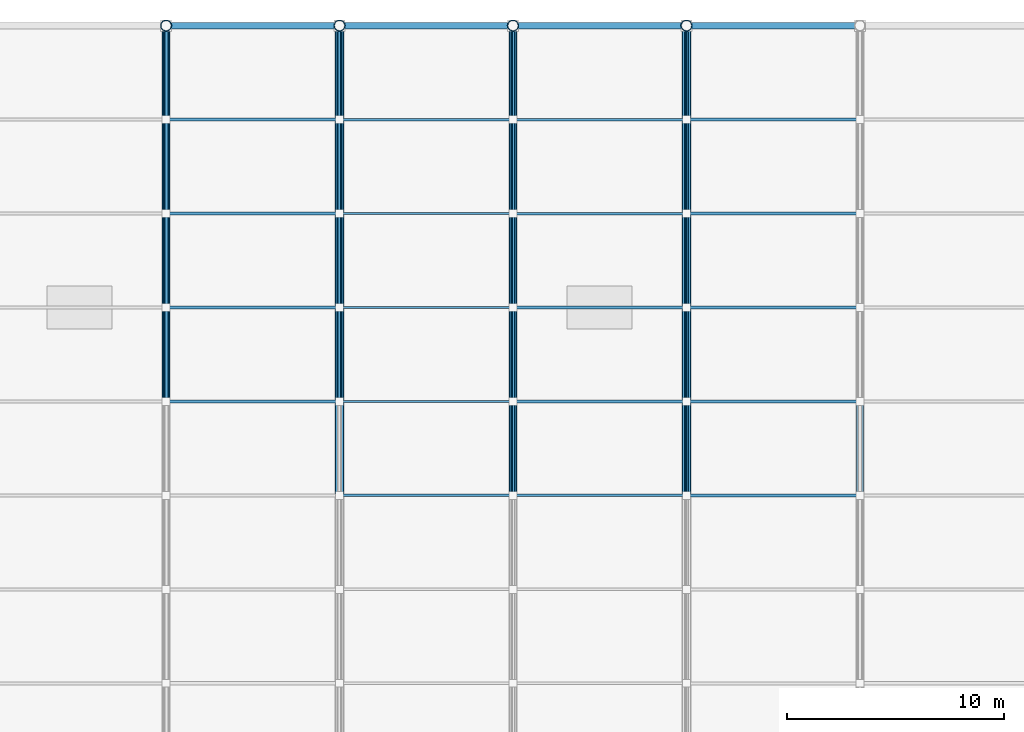
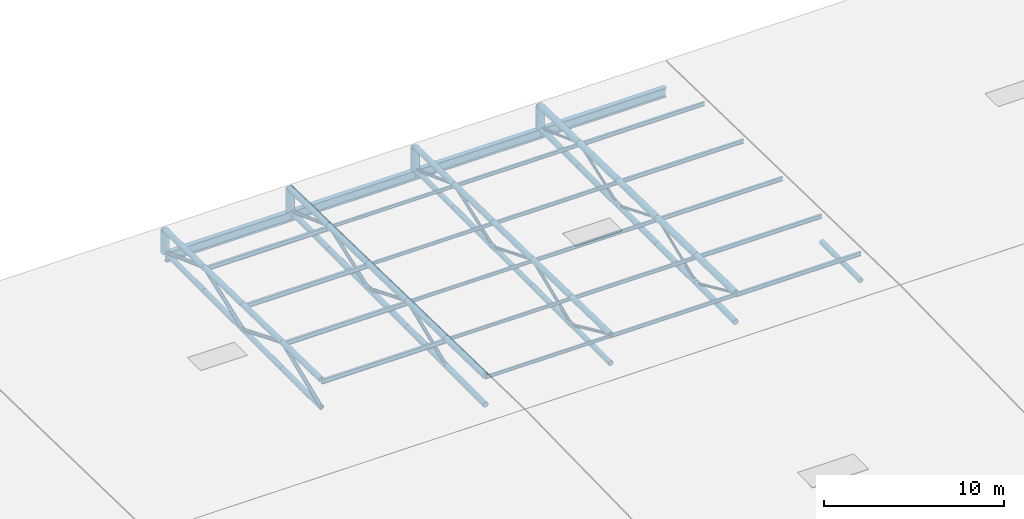
# One storey, part 53 of 75: 80 members, 4 beams.
"""IFC4 building model written with IfcOpenShell, lengths in metres."""

from ifc_helpers import new_model, si_unit, direction, frame, origin, origin_2d, place, context, subcontext, project, spatial, hollow_circle, i_section, extrude, material, material_profile, profile_set, type_object, element, save


model = new_model("IFC4")

# Units and contexts
model_context = context("Model", 3, precision=1e-05, world=origin(), true_north=direction((0.0, 1.0)))
body_context = subcontext(model_context, "Body", "Model", "MODEL_VIEW")
ifc_project = project(units=[si_unit("LENGTHUNIT", "METRE"), si_unit("AREAUNIT", "SQUARE_METRE"), si_unit("VOLUMEUNIT", "CUBIC_METRE"), si_unit("PLANEANGLEUNIT", "RADIAN"), si_unit("MASSUNIT", "GRAM", prefix="KILO")], contexts=[model_context])

# Site, building, storey
site_placement = place(None, origin())
site = spatial("IfcSite", under=ifc_project, at=site_placement, CompositionType="ELEMENT")
building_placement = place(site_placement, origin())
building = spatial("IfcBuilding", under=site, at=building_placement, Name="Khorjan Park Terminus", CompositionType="ELEMENT")
storey_placement = place(building_placement, frame((0.0, 0.0, 16.2)))
storey = spatial("IfcBuildingStorey", under=building, at=storey_placement, Name="L03", CompositionType="ELEMENT", Elevation=16.2)

# Members
ifc_material = material(Name="Steel S355", Category="steel")
ifc_material_profile_1 = material_profile(ifc_material, hollow_circle(Radius=0.0842, WallThickness=0.008, at=origin_2d()), Name="CHS 168.3x8")
ifc_profile_set_1 = profile_set([ifc_material_profile_1], Name="Steel S355")
member_type_1 = type_object("IfcMemberType", Name="MB-BR-168", PredefinedType="BRACE", material=ifc_profile_set_1)
member_1_placement = place(storey_placement, frame((120.0, 132.3333, -0.6417), z_axis=(0.0, 0.911269553162, -0.411810395061), x_axis=(-1.0, 0.0, 0.0)))
element("IfcMember", 1, at=member_1_placement, inside=storey, type_object=member_type_1, Name="Train shed flat truss web diagonal TB-17 (T15)", PredefinedType="BRACE", context=body_context, shape_type="SweptSolid", body=[
    extrude(hollow_circle(Radius=0.0842, WallThickness=0.008, at=origin_2d()), origin(), (0.0, 0.0, 1.0), 4.7553),
])
for number, where, z_axis, x_axis, name in (
    (2, (120.0, 136.6667, -2.6), (0.0, 0.92537575721, 0.379051062481), (-1.0, 0.0, 0.0), "Train shed flat truss web diagonal TB-17 (T15)"),
    (3, (120.0, 141.0, -0.825), (0.0, 0.92537575721, -0.379051062481), (-1.0, 0.0, 0.0), "Train shed flat truss web diagonal TB-17 (T15)"),
):
    element("IfcMember", number, at=place(storey_placement, frame(where, z_axis=z_axis, x_axis=x_axis)), inside=storey, type_object=member_type_1, Name=name, PredefinedType="BRACE", context=body_context, shape_type="SweptSolid", body=[
        extrude(hollow_circle(Radius=0.0842, WallThickness=0.008, at=origin_2d()), origin(), (0.0, 0.0, 1.0), 4.6827),
    ])
member_2_placement = place(storey_placement, frame((120.0, 145.3333, -2.6), z_axis=(0.0, 0.938681062758, 0.344786691187), x_axis=(-1.0, 0.0, 0.0)))
element("IfcMember", 4, at=member_2_placement, inside=storey, type_object=member_type_1, Name="Train shed flat truss web diagonal TB-17 (T15)", PredefinedType="BRACE", context=body_context, shape_type="SweptSolid", body=[
    extrude(hollow_circle(Radius=0.0842, WallThickness=0.008, at=origin_2d()), origin(), (0.0, 0.0, 1.0), 4.6165),
])
member_3_placement = place(storey_placement, frame((120.0, 149.6667, -1.0083), z_axis=(0.0, 0.938678487602, -0.344793701963), x_axis=(-1.0, 0.0, 0.0)))
element("IfcMember", 5, at=member_3_placement, inside=storey, type_object=member_type_1, Name="Train shed flat truss web diagonal TB-17 (T15)", PredefinedType="BRACE", context=body_context, shape_type="SweptSolid", body=[
    extrude(hollow_circle(Radius=0.0842, WallThickness=0.008, at=origin_2d()), origin(), (0.0, 0.0, 1.0), 4.6164),
])
ifc_material_profile_2 = material_profile(ifc_material, hollow_circle(Radius=0.0969, WallThickness=0.01, at=origin_2d()), Name="CHS 193.7x10")
ifc_profile_set_2 = profile_set([ifc_material_profile_2], Name="Steel S355")
member_type_2 = type_object("IfcMemberType", Name="MB-BR-194", PredefinedType="BRACE", material=ifc_profile_set_2)
member_4_placement = place(storey_placement, frame((112.0, 132.3333, -0.6417), z_axis=(0.0, 0.911269553162, -0.411810395061), x_axis=(-1.0, 0.0, 0.0)))
element("IfcMember", 6, at=member_4_placement, inside=storey, type_object=member_type_2, Name="Train shed flat truss web diagonal TB-19 (T14)", PredefinedType="BRACE", context=body_context, shape_type="SweptSolid", body=[
    extrude(hollow_circle(Radius=0.0969, WallThickness=0.01, at=origin_2d()), origin(), (0.0, 0.0, 1.0), 4.7553),
])
for number, where, z_axis, x_axis, name in (
    (7, (112.0, 136.6667, -2.6), (0.0, 0.92537575721, 0.379051062481), (-1.0, 0.0, 0.0), "Train shed flat truss web diagonal TB-19 (T14)"),
    (8, (112.0, 141.0, -0.825), (0.0, 0.92537575721, -0.379051062481), (-1.0, 0.0, 0.0), "Train shed flat truss web diagonal TB-19 (T14)"),
):
    element("IfcMember", number, at=place(storey_placement, frame(where, z_axis=z_axis, x_axis=x_axis)), inside=storey, type_object=member_type_2, Name=name, PredefinedType="BRACE", context=body_context, shape_type="SweptSolid", body=[
        extrude(hollow_circle(Radius=0.0969, WallThickness=0.01, at=origin_2d()), origin(), (0.0, 0.0, 1.0), 4.6827),
    ])
member_5_placement = place(storey_placement, frame((112.0, 145.3333, -2.6), z_axis=(0.0, 0.938681062758, 0.344786691187), x_axis=(-1.0, 0.0, 0.0)))
element("IfcMember", 9, at=member_5_placement, inside=storey, type_object=member_type_2, Name="Train shed flat truss web diagonal TB-19 (T14)", PredefinedType="BRACE", context=body_context, shape_type="SweptSolid", body=[
    extrude(hollow_circle(Radius=0.0969, WallThickness=0.01, at=origin_2d()), origin(), (0.0, 0.0, 1.0), 4.6165),
])
member_6_placement = place(storey_placement, frame((112.0, 149.6667, -1.0083), z_axis=(0.0, 0.938678487602, -0.344793701963), x_axis=(-1.0, 0.0, 0.0)))
element("IfcMember", 10, at=member_6_placement, inside=storey, type_object=member_type_2, Name="Train shed flat truss web diagonal TB-19 (T14)", PredefinedType="BRACE", context=body_context, shape_type="SweptSolid", body=[
    extrude(hollow_circle(Radius=0.0969, WallThickness=0.01, at=origin_2d()), origin(), (0.0, 0.0, 1.0), 4.6164),
])
ifc_material_profile_3 = material_profile(ifc_material, hollow_circle(Radius=0.1095, WallThickness=0.01, at=origin_2d()), Name="CHS 219.1x10")
ifc_profile_set_3 = profile_set([ifc_material_profile_3], Name="Steel S355")
member_type_3 = type_object("IfcMemberType", Name="MB-BR-219", PredefinedType="BRACE", material=ifc_profile_set_3)
for number, where, z_axis, x_axis, name in (
    (11, (104.0, 136.6667, -2.6), (0.0, 0.92537575721, 0.379051062481), (-1.0, 0.0, 0.0), "Train shed flat truss web diagonal TB-22 (T13)"),
    (12, (104.0, 141.0, -0.825), (0.0, 0.92537575721, -0.379051062481), (-1.0, 0.0, 0.0), "Train shed flat truss web diagonal TB-22 (T13)"),
):
    element("IfcMember", number, at=place(storey_placement, frame(where, z_axis=z_axis, x_axis=x_axis)), inside=storey, type_object=member_type_3, Name=name, PredefinedType="BRACE", context=body_context, shape_type="SweptSolid", body=[
        extrude(hollow_circle(Radius=0.1095, WallThickness=0.01, at=origin_2d()), origin(), (0.0, 0.0, 1.0), 4.6827),
    ])
member_7_placement = place(storey_placement, frame((104.0, 145.3333, -2.6), z_axis=(0.0, 0.938681062758, 0.344786691187), x_axis=(-1.0, 0.0, 0.0)))
element("IfcMember", 13, at=member_7_placement, inside=storey, type_object=member_type_3, Name="Train shed flat truss web diagonal TB-22 (T13)", PredefinedType="BRACE", context=body_context, shape_type="SweptSolid", body=[
    extrude(hollow_circle(Radius=0.1095, WallThickness=0.01, at=origin_2d()), origin(), (0.0, 0.0, 1.0), 4.6165),
])
member_8_placement = place(storey_placement, frame((104.0, 149.6667, -1.0083), z_axis=(0.0, 0.938678487602, -0.344793701963), x_axis=(-1.0, 0.0, 0.0)))
element("IfcMember", 14, at=member_8_placement, inside=storey, type_object=member_type_3, Name="Train shed flat truss web diagonal TB-22 (T13)", PredefinedType="BRACE", context=body_context, shape_type="SweptSolid", body=[
    extrude(hollow_circle(Radius=0.1095, WallThickness=0.01, at=origin_2d()), origin(), (0.0, 0.0, 1.0), 4.6164),
])
ifc_material_profile_4 = material_profile(ifc_material, hollow_circle(Radius=0.1222, WallThickness=0.0125, at=origin_2d()), Name="CHS 244.5x12.5")
ifc_profile_set_4 = profile_set([ifc_material_profile_4], Name="Steel S355")
member_type_4 = type_object("IfcMemberType", Name="MB-BR-245", PredefinedType="BRACE", material=ifc_profile_set_4)
for number, where, z_axis, x_axis, name in (
    (15, (96.0, 136.6667, -2.6), (0.0, 0.92537575721, 0.379051062481), (-1.0, 0.0, 0.0), "Train shed flat truss web diagonal TB-24 (T12)"),
    (16, (96.0, 141.0, -0.825), (0.0, 0.92537575721, -0.379051062481), (-1.0, 0.0, 0.0), "Train shed flat truss web diagonal TB-24 (T12)"),
):
    element("IfcMember", number, at=place(storey_placement, frame(where, z_axis=z_axis, x_axis=x_axis)), inside=storey, type_object=member_type_4, Name=name, PredefinedType="BRACE", context=body_context, shape_type="SweptSolid", body=[
        extrude(hollow_circle(Radius=0.1222, WallThickness=0.0125, at=origin_2d()), origin(), (0.0, 0.0, 1.0), 4.6827),
    ])
member_9_placement = place(storey_placement, frame((96.0, 145.3333, -2.6), z_axis=(0.0, 0.938681062758, 0.344786691187), x_axis=(-1.0, 0.0, 0.0)))
element("IfcMember", 17, at=member_9_placement, inside=storey, type_object=member_type_4, Name="Train shed flat truss web diagonal TB-24 (T12)", PredefinedType="BRACE", context=body_context, shape_type="SweptSolid", body=[
    extrude(hollow_circle(Radius=0.1222, WallThickness=0.0125, at=origin_2d()), origin(), (0.0, 0.0, 1.0), 4.6165),
])
member_10_placement = place(storey_placement, frame((96.0, 149.6667, -1.0083), z_axis=(0.0, 0.938678487602, -0.344793701963), x_axis=(-1.0, 0.0, 0.0)))
element("IfcMember", 18, at=member_10_placement, inside=storey, type_object=member_type_4, Name="Train shed flat truss web diagonal TB-24 (T12)", PredefinedType="BRACE", context=body_context, shape_type="SweptSolid", body=[
    extrude(hollow_circle(Radius=0.1222, WallThickness=0.0125, at=origin_2d()), origin(), (0.0, 0.0, 1.0), 4.6164),
])
ifc_material_profile_5 = material_profile(ifc_material, hollow_circle(Radius=0.162, WallThickness=0.0125, at=origin_2d()), Name="CHS 323.9x12.5")
ifc_profile_set_5 = profile_set([ifc_material_profile_5], Name="Steel S355")
member_type_5 = type_object("IfcMemberType", Name="MB-CH-324", PredefinedType="CHORD", material=ifc_profile_set_5)
for number, where, z_axis, x_axis, name in (
    (19, (96.0, 136.6667, -2.6), (0.0, 1.0, 0.0), (-1.0, 0.0, 0.0), "Train shed flat truss bottom chord TC-32 (T12)"),
    (20, (96.0, 141.0, -2.6), (0.0, 1.0, 0.0), (-1.0, 0.0, 0.0), "Train shed flat truss bottom chord TC-32 (T12)"),
):
    element("IfcMember", number, at=place(storey_placement, frame(where, z_axis=z_axis, x_axis=x_axis)), inside=storey, type_object=member_type_5, Name=name, PredefinedType="CHORD", context=body_context, shape_type="SweptSolid", body=[
        extrude(hollow_circle(Radius=0.162, WallThickness=0.0125, at=origin_2d()), origin(), (0.0, 0.0, 1.0), 4.3333),
    ])
member_11_placement = place(storey_placement, frame((96.0, 145.3333, -2.6), z_axis=(0.0, 1.0, 0.0), x_axis=(-1.0, 0.0, 0.0)))
element("IfcMember", 21, at=member_11_placement, inside=storey, type_object=member_type_5, Name="Train shed flat truss bottom chord TC-32 (T12)", PredefinedType="CHORD", context=body_context, shape_type="SweptSolid", body=[
    extrude(hollow_circle(Radius=0.162, WallThickness=0.0125, at=origin_2d()), origin(), (0.0, 0.0, 1.0), 4.3334),
])
member_12_placement = place(storey_placement, frame((96.0, 149.6667, -2.6), z_axis=(0.0, 1.0, 0.0), x_axis=(-1.0, 0.0, 0.0)))
element("IfcMember", 22, at=member_12_placement, inside=storey, type_object=member_type_5, Name="Train shed flat truss bottom chord TC-32 (T12)", PredefinedType="CHORD", context=body_context, shape_type="SweptSolid", body=[
    extrude(hollow_circle(Radius=0.162, WallThickness=0.0125, at=origin_2d()), origin(), (0.0, 0.0, 1.0), 4.3333),
])
member_13_placement = place(storey_placement, frame((112.0, 132.3333, -2.6), z_axis=(0.0, 1.0, 0.0), x_axis=(-1.0, 0.0, 0.0)))
element("IfcMember", 23, at=member_13_placement, inside=storey, type_object=member_type_5, Name="Train shed flat truss bottom chord TC-32 (T14)", PredefinedType="CHORD", context=body_context, shape_type="SweptSolid", body=[
    extrude(hollow_circle(Radius=0.162, WallThickness=0.0125, at=origin_2d()), origin(), (0.0, 0.0, 1.0), 4.3334),
])
for number, where, z_axis, x_axis, name in (
    (24, (112.0, 136.6667, -2.6), (0.0, 1.0, 0.0), (-1.0, 0.0, 0.0), "Train shed flat truss bottom chord TC-32 (T14)"),
    (25, (112.0, 141.0, -2.6), (0.0, 1.0, 0.0), (-1.0, 0.0, 0.0), "Train shed flat truss bottom chord TC-32 (T14)"),
):
    element("IfcMember", number, at=place(storey_placement, frame(where, z_axis=z_axis, x_axis=x_axis)), inside=storey, type_object=member_type_5, Name=name, PredefinedType="CHORD", context=body_context, shape_type="SweptSolid", body=[
        extrude(hollow_circle(Radius=0.162, WallThickness=0.0125, at=origin_2d()), origin(), (0.0, 0.0, 1.0), 4.3333),
    ])
member_14_placement = place(storey_placement, frame((112.0, 145.3333, -2.6), z_axis=(0.0, 1.0, 0.0), x_axis=(-1.0, 0.0, 0.0)))
element("IfcMember", 26, at=member_14_placement, inside=storey, type_object=member_type_5, Name="Train shed flat truss bottom chord TC-32 (T14)", PredefinedType="CHORD", context=body_context, shape_type="SweptSolid", body=[
    extrude(hollow_circle(Radius=0.162, WallThickness=0.0125, at=origin_2d()), origin(), (0.0, 0.0, 1.0), 4.3334),
])
member_15_placement = place(storey_placement, frame((112.0, 149.6667, -2.6), z_axis=(0.0, 1.0, 0.0), x_axis=(-1.0, 0.0, 0.0)))
element("IfcMember", 27, at=member_15_placement, inside=storey, type_object=member_type_5, Name="Train shed flat truss bottom chord TC-32 (T14)", PredefinedType="CHORD", context=body_context, shape_type="SweptSolid", body=[
    extrude(hollow_circle(Radius=0.162, WallThickness=0.0125, at=origin_2d()), origin(), (0.0, 0.0, 1.0), 4.3333),
])
member_16_placement = place(storey_placement, frame((128.0, 132.3333, -2.6), z_axis=(0.0, 1.0, 0.0), x_axis=(-1.0, 0.0, 0.0)))
element("IfcMember", 28, at=member_16_placement, inside=storey, type_object=member_type_5, Name="Train shed flat truss bottom chord TC-32 (T16)", PredefinedType="CHORD", context=body_context, shape_type="SweptSolid", body=[
    extrude(hollow_circle(Radius=0.162, WallThickness=0.0125, at=origin_2d()), origin(), (0.0, 0.0, 1.0), 4.3334),
])
ifc_material_profile_6 = material_profile(ifc_material, hollow_circle(Radius=0.1778, WallThickness=0.016, at=origin_2d()), Name="CHS 355.6x16")
ifc_profile_set_6 = profile_set([ifc_material_profile_6], Name="Steel S355")
member_type_6 = type_object("IfcMemberType", Name="MB-CH-356", PredefinedType="CHORD", material=ifc_profile_set_6)
for number, where, z_axis, x_axis, name in (
    (29, (96.0, 136.6667, -0.7333), (0.0, 0.999776166375, -0.021156964544), (-1.0, 0.0, 0.0), "Train shed flat truss top chord TC-36 (T12)"),
    (30, (96.0, 141.0, -0.825), (0.0, 0.999776166375, -0.021156964544), (-1.0, 0.0, 0.0), "Train shed flat truss top chord TC-36 (T12)"),
):
    element("IfcMember", number, at=place(storey_placement, frame(where, z_axis=z_axis, x_axis=x_axis)), inside=storey, type_object=member_type_6, Name=name, PredefinedType="CHORD", context=body_context, shape_type="SweptSolid", body=[
        extrude(hollow_circle(Radius=0.1778, WallThickness=0.016, at=origin_2d()), origin(), (0.0, 0.0, 1.0), 4.3343),
    ])
member_17_placement = place(storey_placement, frame((96.0, 145.3333, -0.9167), z_axis=(0.0, 0.999776664437, -0.021133415439), x_axis=(-1.0, 0.0, 0.0)))
element("IfcMember", 31, at=member_17_placement, inside=storey, type_object=member_type_6, Name="Train shed flat truss top chord TC-36 (T12)", PredefinedType="CHORD", context=body_context, shape_type="SweptSolid", body=[
    extrude(hollow_circle(Radius=0.1778, WallThickness=0.016, at=origin_2d()), origin(), (0.0, 0.0, 1.0), 4.3344),
])
member_18_placement = place(storey_placement, frame((96.0, 149.6667, -1.0083), z_axis=(0.0, 0.999776166375, -0.021156964544), x_axis=(-1.0, 0.0, 0.0)))
element("IfcMember", 32, at=member_18_placement, inside=storey, type_object=member_type_6, Name="Train shed flat truss top chord TC-36 (T12)", PredefinedType="CHORD", context=body_context, shape_type="SweptSolid", body=[
    extrude(hollow_circle(Radius=0.1778, WallThickness=0.016, at=origin_2d()), origin(), (0.0, 0.0, 1.0), 4.3343),
])
member_19_placement = place(storey_placement, frame((104.0, 132.3333, -2.6), z_axis=(0.0, 1.0, 0.0), x_axis=(-1.0, 0.0, 0.0)))
element("IfcMember", 33, at=member_19_placement, inside=storey, type_object=member_type_6, Name="Train shed flat truss bottom chord TC-36 (T13)", PredefinedType="CHORD", context=body_context, shape_type="SweptSolid", body=[
    extrude(hollow_circle(Radius=0.1778, WallThickness=0.016, at=origin_2d()), origin(), (0.0, 0.0, 1.0), 4.3334),
])
for number, where, z_axis, x_axis, name in (
    (34, (104.0, 136.6667, -2.6), (0.0, 1.0, 0.0), (-1.0, 0.0, 0.0), "Train shed flat truss bottom chord TC-36 (T13)"),
    (35, (104.0, 141.0, -2.6), (0.0, 1.0, 0.0), (-1.0, 0.0, 0.0), "Train shed flat truss bottom chord TC-36 (T13)"),
):
    element("IfcMember", number, at=place(storey_placement, frame(where, z_axis=z_axis, x_axis=x_axis)), inside=storey, type_object=member_type_6, Name=name, PredefinedType="CHORD", context=body_context, shape_type="SweptSolid", body=[
        extrude(hollow_circle(Radius=0.1778, WallThickness=0.016, at=origin_2d()), origin(), (0.0, 0.0, 1.0), 4.3333),
    ])
member_20_placement = place(storey_placement, frame((104.0, 145.3333, -2.6), z_axis=(0.0, 1.0, 0.0), x_axis=(-1.0, 0.0, 0.0)))
element("IfcMember", 36, at=member_20_placement, inside=storey, type_object=member_type_6, Name="Train shed flat truss bottom chord TC-36 (T13)", PredefinedType="CHORD", context=body_context, shape_type="SweptSolid", body=[
    extrude(hollow_circle(Radius=0.1778, WallThickness=0.016, at=origin_2d()), origin(), (0.0, 0.0, 1.0), 4.3334),
])
member_21_placement = place(storey_placement, frame((104.0, 149.6667, -2.6), z_axis=(0.0, 1.0, 0.0), x_axis=(-1.0, 0.0, 0.0)))
element("IfcMember", 37, at=member_21_placement, inside=storey, type_object=member_type_6, Name="Train shed flat truss bottom chord TC-36 (T13)", PredefinedType="CHORD", context=body_context, shape_type="SweptSolid", body=[
    extrude(hollow_circle(Radius=0.1778, WallThickness=0.016, at=origin_2d()), origin(), (0.0, 0.0, 1.0), 4.3333),
])
member_22_placement = place(storey_placement, frame((112.0, 132.3333, -0.6417), z_axis=(0.0, 0.999776664437, -0.021133415439), x_axis=(-1.0, 0.0, 0.0)))
element("IfcMember", 38, at=member_22_placement, inside=storey, type_object=member_type_6, Name="Train shed flat truss top chord TC-36 (T14)", PredefinedType="CHORD", context=body_context, shape_type="SweptSolid", body=[
    extrude(hollow_circle(Radius=0.1778, WallThickness=0.016, at=origin_2d()), origin(), (0.0, 0.0, 1.0), 4.3344),
])
for number, where, z_axis, x_axis, name in (
    (39, (112.0, 136.6667, -0.7333), (0.0, 0.999776166375, -0.021156964544), (-1.0, 0.0, 0.0), "Train shed flat truss top chord TC-36 (T14)"),
    (40, (112.0, 141.0, -0.825), (0.0, 0.999776166375, -0.021156964544), (-1.0, 0.0, 0.0), "Train shed flat truss top chord TC-36 (T14)"),
):
    element("IfcMember", number, at=place(storey_placement, frame(where, z_axis=z_axis, x_axis=x_axis)), inside=storey, type_object=member_type_6, Name=name, PredefinedType="CHORD", context=body_context, shape_type="SweptSolid", body=[
        extrude(hollow_circle(Radius=0.1778, WallThickness=0.016, at=origin_2d()), origin(), (0.0, 0.0, 1.0), 4.3343),
    ])
member_23_placement = place(storey_placement, frame((112.0, 145.3333, -0.9167), z_axis=(0.0, 0.999776664437, -0.021133415439), x_axis=(-1.0, 0.0, 0.0)))
element("IfcMember", 41, at=member_23_placement, inside=storey, type_object=member_type_6, Name="Train shed flat truss top chord TC-36 (T14)", PredefinedType="CHORD", context=body_context, shape_type="SweptSolid", body=[
    extrude(hollow_circle(Radius=0.1778, WallThickness=0.016, at=origin_2d()), origin(), (0.0, 0.0, 1.0), 4.3344),
])
member_24_placement = place(storey_placement, frame((112.0, 149.6667, -1.0083), z_axis=(0.0, 0.999776166375, -0.021156964544), x_axis=(-1.0, 0.0, 0.0)))
element("IfcMember", 42, at=member_24_placement, inside=storey, type_object=member_type_6, Name="Train shed flat truss top chord TC-36 (T14)", PredefinedType="CHORD", context=body_context, shape_type="SweptSolid", body=[
    extrude(hollow_circle(Radius=0.1778, WallThickness=0.016, at=origin_2d()), origin(), (0.0, 0.0, 1.0), 4.3343),
])
member_25_placement = place(storey_placement, frame((120.0, 132.3333, -2.6), z_axis=(0.0, 1.0, 0.0), x_axis=(-1.0, 0.0, 0.0)))
element("IfcMember", 43, at=member_25_placement, inside=storey, type_object=member_type_6, Name="Train shed flat truss bottom chord TC-36 (T15)", PredefinedType="CHORD", context=body_context, shape_type="SweptSolid", body=[
    extrude(hollow_circle(Radius=0.1778, WallThickness=0.016, at=origin_2d()), origin(), (0.0, 0.0, 1.0), 4.3334),
])
for number, where, z_axis, x_axis, name in (
    (44, (120.0, 136.6667, -2.6), (0.0, 1.0, 0.0), (-1.0, 0.0, 0.0), "Train shed flat truss bottom chord TC-36 (T15)"),
    (45, (120.0, 141.0, -2.6), (0.0, 1.0, 0.0), (-1.0, 0.0, 0.0), "Train shed flat truss bottom chord TC-36 (T15)"),
):
    element("IfcMember", number, at=place(storey_placement, frame(where, z_axis=z_axis, x_axis=x_axis)), inside=storey, type_object=member_type_6, Name=name, PredefinedType="CHORD", context=body_context, shape_type="SweptSolid", body=[
        extrude(hollow_circle(Radius=0.1778, WallThickness=0.016, at=origin_2d()), origin(), (0.0, 0.0, 1.0), 4.3333),
    ])
member_26_placement = place(storey_placement, frame((120.0, 145.3333, -2.6), z_axis=(0.0, 1.0, 0.0), x_axis=(-1.0, 0.0, 0.0)))
element("IfcMember", 46, at=member_26_placement, inside=storey, type_object=member_type_6, Name="Train shed flat truss bottom chord TC-36 (T15)", PredefinedType="CHORD", context=body_context, shape_type="SweptSolid", body=[
    extrude(hollow_circle(Radius=0.1778, WallThickness=0.016, at=origin_2d()), origin(), (0.0, 0.0, 1.0), 4.3334),
])
member_27_placement = place(storey_placement, frame((120.0, 149.6667, -2.6), z_axis=(0.0, 1.0, 0.0), x_axis=(-1.0, 0.0, 0.0)))
element("IfcMember", 47, at=member_27_placement, inside=storey, type_object=member_type_6, Name="Train shed flat truss bottom chord TC-36 (T15)", PredefinedType="CHORD", context=body_context, shape_type="SweptSolid", body=[
    extrude(hollow_circle(Radius=0.1778, WallThickness=0.016, at=origin_2d()), origin(), (0.0, 0.0, 1.0), 4.3333),
])
ifc_material_profile_7 = material_profile(ifc_material, hollow_circle(Radius=0.2032, WallThickness=0.016, at=origin_2d()), Name="CHS 406.4x16")
ifc_profile_set_7 = profile_set([ifc_material_profile_7], Name="Steel S355")
member_type_7 = type_object("IfcMemberType", Name="MB-CH-406", PredefinedType="CHORD", material=ifc_profile_set_7)
member_28_placement = place(storey_placement, frame((104.0, 132.3333, -0.6417), z_axis=(0.0, 0.999776664437, -0.021133415439), x_axis=(-1.0, 0.0, 0.0)))
element("IfcMember", 48, at=member_28_placement, inside=storey, type_object=member_type_7, Name="Train shed flat truss top chord TC-41 (T13)", PredefinedType="CHORD", context=body_context, shape_type="SweptSolid", body=[
    extrude(hollow_circle(Radius=0.2032, WallThickness=0.016, at=origin_2d()), origin(), (0.0, 0.0, 1.0), 4.3344),
])
for number, where, z_axis, x_axis, name in (
    (49, (104.0, 136.6667, -0.7333), (0.0, 0.999776166375, -0.021156964544), (-1.0, 0.0, 0.0), "Train shed flat truss top chord TC-41 (T13)"),
    (50, (104.0, 141.0, -0.825), (0.0, 0.999776166375, -0.021156964544), (-1.0, 0.0, 0.0), "Train shed flat truss top chord TC-41 (T13)"),
):
    element("IfcMember", number, at=place(storey_placement, frame(where, z_axis=z_axis, x_axis=x_axis)), inside=storey, type_object=member_type_7, Name=name, PredefinedType="CHORD", context=body_context, shape_type="SweptSolid", body=[
        extrude(hollow_circle(Radius=0.2032, WallThickness=0.016, at=origin_2d()), origin(), (0.0, 0.0, 1.0), 4.3343),
    ])
member_29_placement = place(storey_placement, frame((104.0, 145.3333, -0.9167), z_axis=(0.0, 0.999776664437, -0.021133415439), x_axis=(-1.0, 0.0, 0.0)))
element("IfcMember", 51, at=member_29_placement, inside=storey, type_object=member_type_7, Name="Train shed flat truss top chord TC-41 (T13)", PredefinedType="CHORD", context=body_context, shape_type="SweptSolid", body=[
    extrude(hollow_circle(Radius=0.2032, WallThickness=0.016, at=origin_2d()), origin(), (0.0, 0.0, 1.0), 4.3344),
])
member_30_placement = place(storey_placement, frame((104.0, 149.6667, -1.0083), z_axis=(0.0, 0.999776166375, -0.021156964544), x_axis=(-1.0, 0.0, 0.0)))
element("IfcMember", 52, at=member_30_placement, inside=storey, type_object=member_type_7, Name="Train shed flat truss top chord TC-41 (T13)", PredefinedType="CHORD", context=body_context, shape_type="SweptSolid", body=[
    extrude(hollow_circle(Radius=0.2032, WallThickness=0.016, at=origin_2d()), origin(), (0.0, 0.0, 1.0), 4.3343),
])
member_31_placement = place(storey_placement, frame((120.0, 132.3333, -0.6417), z_axis=(0.0, 0.999776664437, -0.021133415439), x_axis=(-1.0, 0.0, 0.0)))
element("IfcMember", 53, at=member_31_placement, inside=storey, type_object=member_type_7, Name="Train shed flat truss top chord TC-41 (T15)", PredefinedType="CHORD", context=body_context, shape_type="SweptSolid", body=[
    extrude(hollow_circle(Radius=0.2032, WallThickness=0.016, at=origin_2d()), origin(), (0.0, 0.0, 1.0), 4.3344),
])
for number, where, z_axis, x_axis, name in (
    (54, (120.0, 136.6667, -0.7333), (0.0, 0.999776166375, -0.021156964544), (-1.0, 0.0, 0.0), "Train shed flat truss top chord TC-41 (T15)"),
    (55, (120.0, 141.0, -0.825), (0.0, 0.999776166375, -0.021156964544), (-1.0, 0.0, 0.0), "Train shed flat truss top chord TC-41 (T15)"),
):
    element("IfcMember", number, at=place(storey_placement, frame(where, z_axis=z_axis, x_axis=x_axis)), inside=storey, type_object=member_type_7, Name=name, PredefinedType="CHORD", context=body_context, shape_type="SweptSolid", body=[
        extrude(hollow_circle(Radius=0.2032, WallThickness=0.016, at=origin_2d()), origin(), (0.0, 0.0, 1.0), 4.3343),
    ])
member_32_placement = place(storey_placement, frame((120.0, 145.3333, -0.9167), z_axis=(0.0, 0.999776664437, -0.021133415439), x_axis=(-1.0, 0.0, 0.0)))
element("IfcMember", 56, at=member_32_placement, inside=storey, type_object=member_type_7, Name="Train shed flat truss top chord TC-41 (T15)", PredefinedType="CHORD", context=body_context, shape_type="SweptSolid", body=[
    extrude(hollow_circle(Radius=0.2032, WallThickness=0.016, at=origin_2d()), origin(), (0.0, 0.0, 1.0), 4.3344),
])
member_33_placement = place(storey_placement, frame((120.0, 149.6667, -1.0083), z_axis=(0.0, 0.999776166375, -0.021156964544), x_axis=(-1.0, 0.0, 0.0)))
element("IfcMember", 57, at=member_33_placement, inside=storey, type_object=member_type_7, Name="Train shed flat truss top chord TC-41 (T15)", PredefinedType="CHORD", context=body_context, shape_type="SweptSolid", body=[
    extrude(hollow_circle(Radius=0.2032, WallThickness=0.016, at=origin_2d()), origin(), (0.0, 0.0, 1.0), 4.3343),
])
ifc_material_profile_8 = material_profile(ifc_material, i_section(OverallWidth=0.11, OverallDepth=0.22, WebThickness=0.0059, FlangeThickness=0.0092, FilletRadius=0.012, at=origin_2d()), Name="IPE 220")
ifc_profile_set_8 = profile_set([ifc_material_profile_8], Name="Steel S355")
member_type_8 = type_object("IfcMemberType", Name="MB-PR-IPE220", PredefinedType="PURLIN", material=ifc_profile_set_8)
for number, where, z_axis, x_axis, name in (
    (58, (104.0, 132.3333, -0.7317), (1.0, 0.0, 0.0), (0.0, 1.0, 0.0), "Train shed secondary roof purlin PR-22 (Bay 13)"),
    (59, (104.0, 136.6667, -0.8233), (1.0, 0.0, 0.0), (0.0, 1.0, 0.0), "Train shed secondary roof purlin PR-22 (Bay 13)"),
    (60, (104.0, 141.0, -0.915), (1.0, 0.0, 0.0), (0.0, 1.0, 0.0), "Train shed secondary roof purlin PR-22 (Bay 13)"),
    (61, (104.0, 145.3333, -1.0067), (1.0, 0.0, 0.0), (0.0, 1.0, 0.0), "Train shed secondary roof purlin PR-22 (Bay 13)"),
    (62, (104.0, 149.6667, -1.0983), (1.0, 0.0, 0.0), (0.0, 1.0, 0.0), "Train shed secondary roof purlin PR-22 (Bay 13)"),
):
    element("IfcMember", number, at=place(storey_placement, frame(where, z_axis=z_axis, x_axis=x_axis)), inside=storey, type_object=member_type_8, Name=name, PredefinedType="PURLIN", context=body_context, shape_type="SweptSolid", body=[
        extrude(i_section(OverallWidth=0.11, OverallDepth=0.22, WebThickness=0.0059, FlangeThickness=0.0092, FilletRadius=0.012, at=origin_2d()), origin(), (0.0, 0.0, 1.0), 8.0),
    ])
ifc_material_profile_9 = material_profile(ifc_material, i_section(OverallWidth=0.12, OverallDepth=0.24, WebThickness=0.0062, FlangeThickness=0.0098, FilletRadius=0.015, at=origin_2d()), Name="IPE 240")
ifc_profile_set_9 = profile_set([ifc_material_profile_9], Name="Steel S355")
member_type_9 = type_object("IfcMemberType", Name="MB-PR-IPE240", PredefinedType="PURLIN", material=ifc_profile_set_9)
for number, where, z_axis, x_axis, name in (
    (63, (112.0, 132.3333, -0.7417), (1.0, 0.0, 0.0), (0.0, 1.0, 0.0), "Train shed secondary roof purlin PR-24 (Bay 14)"),
    (64, (112.0, 136.6667, -0.8333), (1.0, 0.0, 0.0), (0.0, 1.0, 0.0), "Train shed secondary roof purlin PR-24 (Bay 14)"),
    (65, (112.0, 141.0, -0.925), (1.0, 0.0, 0.0), (0.0, 1.0, 0.0), "Train shed secondary roof purlin PR-24 (Bay 14)"),
    (66, (112.0, 145.3333, -1.0167), (1.0, 0.0, 0.0), (0.0, 1.0, 0.0), "Train shed secondary roof purlin PR-24 (Bay 14)"),
    (67, (112.0, 149.6667, -1.1083), (1.0, 0.0, 0.0), (0.0, 1.0, 0.0), "Train shed secondary roof purlin PR-24 (Bay 14)"),
):
    element("IfcMember", number, at=place(storey_placement, frame(where, z_axis=z_axis, x_axis=x_axis)), inside=storey, type_object=member_type_9, Name=name, PredefinedType="PURLIN", context=body_context, shape_type="SweptSolid", body=[
        extrude(i_section(OverallWidth=0.12, OverallDepth=0.24, WebThickness=0.0062, FlangeThickness=0.0098, FilletRadius=0.015, at=origin_2d()), origin(), (0.0, 0.0, 1.0), 8.0),
    ])
ifc_material_profile_10 = material_profile(ifc_material, i_section(OverallWidth=0.135, OverallDepth=0.27, WebThickness=0.0066, FlangeThickness=0.0102, FilletRadius=0.015, at=origin_2d()), Name="IPE 270")
ifc_profile_set_10 = profile_set([ifc_material_profile_10], Name="Steel S355")
member_type_10 = type_object("IfcMemberType", Name="MB-PR-IPE270", PredefinedType="PURLIN", material=ifc_profile_set_10)
for number, where, z_axis, x_axis, name in (
    (68, (120.0, 132.3333, -0.7567), (1.0, 0.0, 0.0), (0.0, 1.0, 0.0), "Train shed secondary roof purlin PR-27 (Bay 15)"),
    (69, (120.0, 136.6667, -0.8483), (1.0, 0.0, 0.0), (0.0, 1.0, 0.0), "Train shed secondary roof purlin PR-27 (Bay 15)"),
    (70, (120.0, 141.0, -0.94), (1.0, 0.0, 0.0), (0.0, 1.0, 0.0), "Train shed secondary roof purlin PR-27 (Bay 15)"),
    (71, (120.0, 145.3333, -1.0317), (1.0, 0.0, 0.0), (0.0, 1.0, 0.0), "Train shed secondary roof purlin PR-27 (Bay 15)"),
    (72, (120.0, 149.6667, -1.1233), (1.0, 0.0, 0.0), (0.0, 1.0, 0.0), "Train shed secondary roof purlin PR-27 (Bay 15)"),
):
    element("IfcMember", number, at=place(storey_placement, frame(where, z_axis=z_axis, x_axis=x_axis)), inside=storey, type_object=member_type_10, Name=name, PredefinedType="PURLIN", context=body_context, shape_type="SweptSolid", body=[
        extrude(i_section(OverallWidth=0.135, OverallDepth=0.27, WebThickness=0.0066, FlangeThickness=0.0102, FilletRadius=0.015, at=origin_2d()), origin(), (0.0, 0.0, 1.0), 8.0),
    ])
ifc_material_profile_11 = material_profile(ifc_material, i_section(OverallWidth=0.15, OverallDepth=0.3, WebThickness=0.0071, FlangeThickness=0.0107, FilletRadius=0.015, at=origin_2d()), Name="IPE 300")
ifc_profile_set_11 = profile_set([ifc_material_profile_11], Name="Steel S355")
member_type_11 = type_object("IfcMemberType", Name="MB-PR-IPE300", PredefinedType="PURLIN", material=ifc_profile_set_11)
for number, where, z_axis, x_axis, name in (
    (73, (96.0, 136.6667, -0.8633), (1.0, 0.0, 0.0), (0.0, 1.0, 0.0), "Train shed secondary roof purlin PR-30 (Bay 12)"),
    (74, (96.0, 141.0, -0.955), (1.0, 0.0, 0.0), (0.0, 1.0, 0.0), "Train shed secondary roof purlin PR-30 (Bay 12)"),
    (75, (96.0, 145.3333, -1.0467), (1.0, 0.0, 0.0), (0.0, 1.0, 0.0), "Train shed secondary roof purlin PR-30 (Bay 12)"),
    (76, (96.0, 149.6667, -1.1383), (1.0, 0.0, 0.0), (0.0, 1.0, 0.0), "Train shed secondary roof purlin PR-30 (Bay 12)"),
):
    element("IfcMember", number, at=place(storey_placement, frame(where, z_axis=z_axis, x_axis=x_axis)), inside=storey, type_object=member_type_11, Name=name, PredefinedType="PURLIN", context=body_context, shape_type="SweptSolid", body=[
        extrude(i_section(OverallWidth=0.15, OverallDepth=0.3, WebThickness=0.0071, FlangeThickness=0.0107, FilletRadius=0.015, at=origin_2d()), origin(), (0.0, 0.0, 1.0), 8.0),
    ])
ifc_material_profile_12 = material_profile(ifc_material, hollow_circle(Radius=0.254, WallThickness=0.02, at=origin_2d()), Name="CHS 508x20")
ifc_profile_set_12 = profile_set([ifc_material_profile_12], Name="Steel S355")
member_type_12 = type_object("IfcMemberType", Name="MB-STE-508", PredefinedType="STRUT", material=ifc_profile_set_12)
for number, where, z_axis, x_axis, name in (
    (77, (96.0, 154.0, -2.62), (0.0, 0.0, 1.0), (1.0, 0.0, 0.0), "Train shed flat truss end post STE-51 (T12-N)"),
    (78, (104.0, 154.0, -2.62), (0.0, 0.0, 1.0), (1.0, 0.0, 0.0), "Train shed flat truss end post STE-51 (T13-N)"),
    (79, (112.0, 154.0, -2.62), (0.0, 0.0, 1.0), (1.0, 0.0, 0.0), "Train shed flat truss end post STE-51 (T14-N)"),
    (80, (120.0, 154.0, -2.62), (0.0, 0.0, 1.0), (1.0, 0.0, 0.0), "Train shed flat truss end post STE-51 (T15-N)"),
):
    element("IfcMember", number, at=place(storey_placement, frame(where, z_axis=z_axis, x_axis=x_axis)), inside=storey, type_object=member_type_12, Name=name, PredefinedType="STRUT", context=body_context, shape_type="SweptSolid", body=[
        extrude(hollow_circle(Radius=0.254, WallThickness=0.02, at=origin_2d()), origin(), (0.0, 0.0, 1.0), 1.52),
    ])

# Beams
ifc_material_profile_13 = material_profile(ifc_material, i_section(OverallWidth=0.3, OverallDepth=0.65, WebThickness=0.016, FlangeThickness=0.031, FilletRadius=0.027, at=origin_2d()), Name="HEB 650")
ifc_profile_set_13 = profile_set([ifc_material_profile_13], Name="Steel S355")
beam_type = type_object("IfcBeamType", Name="SP-HEB650E", PredefinedType="SPANDREL", material=ifc_profile_set_13)
for number, where, z_axis, x_axis, name in (
    (81, (96.0, 154.0, -2.925), (1.0, 0.0, 0.0), (0.0, 1.0, 0.0), "Train shed horizontal eave fascia girder SP-E65 (N12)"),
    (82, (104.0, 154.0, -2.925), (1.0, 0.0, 0.0), (0.0, 1.0, 0.0), "Train shed horizontal eave fascia girder SP-E65 (N13)"),
    (83, (112.0, 154.0, -2.925), (1.0, 0.0, 0.0), (0.0, 1.0, 0.0), "Train shed horizontal eave fascia girder SP-E65 (N14)"),
    (84, (120.0, 154.0, -2.925), (1.0, 0.0, 0.0), (0.0, 1.0, 0.0), "Train shed horizontal eave fascia girder SP-E65 (N15)"),
):
    element("IfcBeam", number, at=place(storey_placement, frame(where, z_axis=z_axis, x_axis=x_axis)), inside=storey, type_object=beam_type, Name=name, PredefinedType="SPANDREL", context=body_context, shape_type="SweptSolid", body=[
        extrude(i_section(OverallWidth=0.3, OverallDepth=0.65, WebThickness=0.016, FlangeThickness=0.031, FilletRadius=0.027, at=origin_2d()), origin(), (0.0, 0.0, 1.0), 8.0),
    ])

save(model, "model.ifc")
